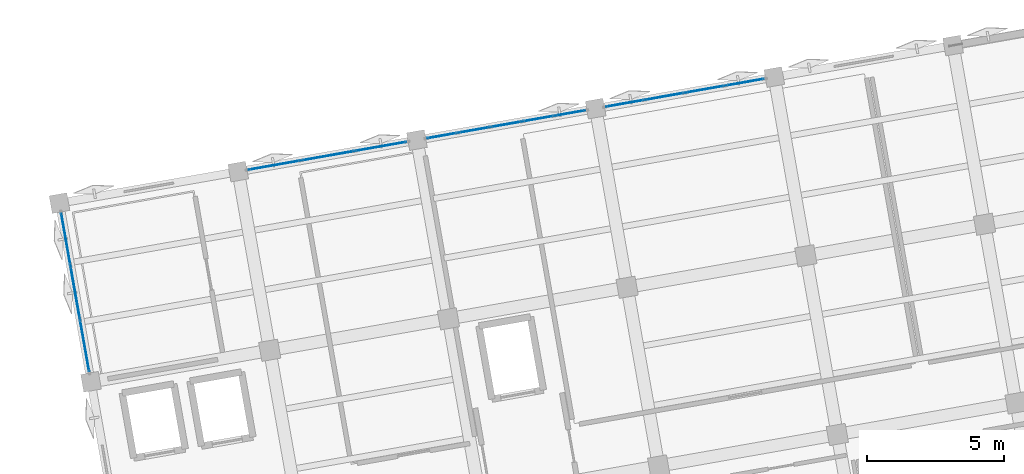
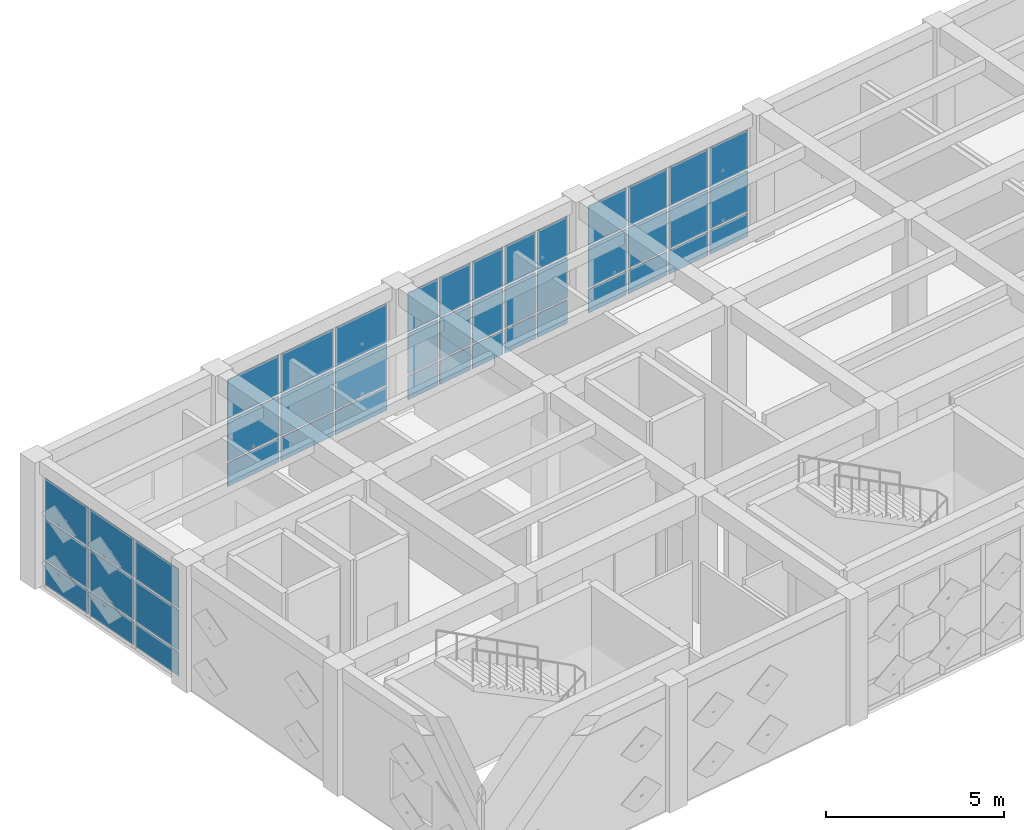
# One storey, part 21 of 39: 45 plates, 4 elements without a shape of their own.
"""IFC4 building model written with IfcOpenShell, lengths in metres."""

from ifc_helpers import new_model, si_unit, direction, frame, origin, origin_2d, place, context, subcontext, project, spatial, rectangle, extrude, material, layer, layer_set, type_object, element, aggregate, save


model = new_model("IFC4")

# Units and contexts
model_context = context("Model", 3, precision=1e-05, world=origin(), true_north=direction((0.0, 1.0)))
body_context = subcontext(model_context, "Body", "Model", "MODEL_VIEW")
ifc_project = project(units=[si_unit("LENGTHUNIT", "METRE"), si_unit("AREAUNIT", "SQUARE_METRE"), si_unit("VOLUMEUNIT", "CUBIC_METRE"), si_unit("PLANEANGLEUNIT", "RADIAN"), si_unit("MASSUNIT", "GRAM", prefix="KILO")], contexts=[model_context])

# Site, building, storey
site_placement = place(None, origin())
site = spatial("IfcSite", under=ifc_project, at=site_placement, CompositionType="ELEMENT")
building_placement = place(site_placement, origin())
building = spatial("IfcBuilding", under=site, at=building_placement, Name="Kharisveld Research Institute", CompositionType="ELEMENT")
storey_placement = place(building_placement, frame((0.0, 0.0, 18.60009765625)))
storey = spatial("IfcBuildingStorey", under=building, at=storey_placement, Name="L04", CompositionType="ELEMENT", Elevation=18.60009765625)

# Curtain wall, plates
ifc_material_1 = material(Name="Thermally Broken Aluminium Curtain Wall", Category="aluminium")
ifc_layer_1 = layer(ifc_material_1, 0.159912109375)
ifc_layer_set_1 = layer_set([ifc_layer_1], Name="CW_SYS_05")
curtain_wall_type_1 = type_object("IfcCurtainWallType", Name="CW_SYS_05", PredefinedType="NOTDEFINED", material=ifc_layer_set_1)
curtain_wall_1_placement = place(storey_placement, origin())
curtain_wall_1 = element("IfcCurtainWall", 1, at=curtain_wall_1_placement, inside=storey, type_object=curtain_wall_type_1, Name="CW:V1:L04:W2", PredefinedType="NOTDEFINED")
ifc_material_2 = material(Name="Low-E Double Glazing", Category="glass")
ifc_layer_2 = layer(ifc_material_2, 0.028076171875)
ifc_layer_set_2 = layer_set([ifc_layer_2], Name="CW_PNL_GLZ")
plate_type = type_object("IfcPlateType", Name="CW_PNL_GLZ", PredefinedType="CURTAIN_PANEL", material=ifc_layer_set_2)
plate_1_placement = place(storey_placement, frame((2.6767578125, 49.320068359375, 0.06494140625), z_axis=(0.0, 0.0, 1.0), x_axis=(-0.173648266375, 0.984807737371, 0.0)))
plate_1 = element("IfcPlate", 2, at=plate_1_placement, type_object=plate_type, Name="CW-05 panel 1.1", PredefinedType="CURTAIN_PANEL", context=body_context, shape_type="SweptSolid", body=[
    extrude(rectangle(XDim=1.881591796875, YDim=0.028076171875, at=origin_2d()), origin(), (0.0, 0.0, 1.0), 0.802490234375),
])
plate_2_placement = place(storey_placement, frame((2.6767578125, 49.320068359375, 0.9326171875), z_axis=(0.0, 0.0, 1.0), x_axis=(-0.173648266375, 0.984807737371, 0.0)))
plate_2 = element("IfcPlate", 3, at=plate_2_placement, type_object=plate_type, Name="CW-05 panel 1.2", PredefinedType="CURTAIN_PANEL", context=body_context, shape_type="SweptSolid", body=[
    extrude(rectangle(XDim=1.881591796875, YDim=0.028076171875, at=origin_2d()), origin(), (0.0, 0.0, 1.0), 1.385009765625),
])
plate_3_placement = place(storey_placement, frame((2.6767578125, 49.320068359375, 2.38232421875), z_axis=(0.0, 0.0, 1.0), x_axis=(-0.173648266375, 0.984807737371, 0.0)))
plate_3 = element("IfcPlate", 4, at=plate_3_placement, type_object=plate_type, Name="CW-05 panel 1.3", PredefinedType="CURTAIN_PANEL", context=body_context, shape_type="SweptSolid", body=[
    extrude(rectangle(XDim=1.881591796875, YDim=0.028076171875, at=origin_2d()), origin(), (0.0, 0.0, 1.0), 1.33251953125),
])
plate_4_placement = place(storey_placement, frame((2.334716796875, 51.25927734375, 0.06494140625), z_axis=(0.0, 0.0, 1.0), x_axis=(-0.173648266375, 0.984807737371, 0.0)))
plate_4 = element("IfcPlate", 5, at=plate_4_placement, type_object=plate_type, Name="CW-05 panel 2.1", PredefinedType="CURTAIN_PANEL", context=body_context, shape_type="SweptSolid", body=[
    extrude(rectangle(XDim=1.916748046875, YDim=0.028076171875, at=origin_2d()), origin(), (0.0, 0.0, 1.0), 0.802490234375),
])
plate_5_placement = place(storey_placement, frame((2.334716796875, 51.25927734375, 0.9326171875), z_axis=(0.0, 0.0, 1.0), x_axis=(-0.173648266375, 0.984807737371, 0.0)))
plate_5 = element("IfcPlate", 6, at=plate_5_placement, type_object=plate_type, Name="CW-05 panel 2.2", PredefinedType="CURTAIN_PANEL", context=body_context, shape_type="SweptSolid", body=[
    extrude(rectangle(XDim=1.916748046875, YDim=0.028076171875, at=origin_2d()), origin(), (0.0, 0.0, 1.0), 1.385009765625),
])
plate_6_placement = place(storey_placement, frame((2.334716796875, 51.25927734375, 2.38232421875), z_axis=(0.0, 0.0, 1.0), x_axis=(-0.173648266375, 0.984807737371, 0.0)))
plate_6 = element("IfcPlate", 7, at=plate_6_placement, type_object=plate_type, Name="CW-05 panel 2.3", PredefinedType="CURTAIN_PANEL", context=body_context, shape_type="SweptSolid", body=[
    extrude(rectangle(XDim=1.916748046875, YDim=0.028076171875, at=origin_2d()), origin(), (0.0, 0.0, 1.0), 1.33251953125),
])
plate_7_placement = place(storey_placement, frame((1.992919921875, 53.198486328125, 0.06494140625), z_axis=(0.0, 0.0, 1.0), x_axis=(-0.173648266375, 0.984807737371, 0.0)))
plate_7 = element("IfcPlate", 8, at=plate_7_placement, type_object=plate_type, Name="CW-05 panel 3.1", PredefinedType="CURTAIN_PANEL", context=body_context, shape_type="SweptSolid", body=[
    extrude(rectangle(XDim=1.881591796875, YDim=0.028076171875, at=origin_2d()), origin(), (0.0, 0.0, 1.0), 0.802490234375),
])
plate_8_placement = place(storey_placement, frame((1.992919921875, 53.198486328125, 0.9326171875), z_axis=(0.0, 0.0, 1.0), x_axis=(-0.173648266375, 0.984807737371, 0.0)))
plate_8 = element("IfcPlate", 9, at=plate_8_placement, type_object=plate_type, Name="CW-05 panel 3.2", PredefinedType="CURTAIN_PANEL", context=body_context, shape_type="SweptSolid", body=[
    extrude(rectangle(XDim=1.881591796875, YDim=0.028076171875, at=origin_2d()), origin(), (0.0, 0.0, 1.0), 1.385009765625),
])
plate_9_placement = place(storey_placement, frame((1.992919921875, 53.198486328125, 2.38232421875), z_axis=(0.0, 0.0, 1.0), x_axis=(-0.173648266375, 0.984807737371, 0.0)))
plate_9 = element("IfcPlate", 10, at=plate_9_placement, type_object=plate_type, Name="CW-05 panel 3.3", PredefinedType="CURTAIN_PANEL", context=body_context, shape_type="SweptSolid", body=[
    extrude(rectangle(XDim=1.881591796875, YDim=0.028076171875, at=origin_2d()), origin(), (0.0, 0.0, 1.0), 1.33251953125),
])
aggregate(curtain_wall_1, [plate_1, plate_2, plate_3, plate_4, plate_5, plate_6, plate_7, plate_8, plate_9])

ifc_material_3 = material(Name="Thermally Broken Aluminium Curtain Wall", Category="aluminium")
ifc_layer_3 = layer(ifc_material_3, 0.159912109375)
ifc_layer_set_3 = layer_set([ifc_layer_3], Name="CW_SYS_06")
curtain_wall_type_2 = type_object("IfcCurtainWallType", Name="CW_SYS_06", PredefinedType="NOTDEFINED", material=ifc_layer_set_3)
curtain_wall_2_placement = place(storey_placement, origin())
curtain_wall_2 = element("IfcCurtainWall", 11, at=curtain_wall_2_placement, inside=storey, type_object=curtain_wall_type_2, Name="CW:V1:L04:N1", PredefinedType="NOTDEFINED")
plate_10_placement = place(storey_placement, frame((9.572021484375, 55.886474609375, 0.06494140625), z_axis=(0.0, 0.0, 1.0), x_axis=(0.984807732312, 0.173648295062, 0.0)))
plate_10 = element("IfcPlate", 12, at=plate_10_placement, type_object=plate_type, Name="CW-06 panel 1.1", PredefinedType="CURTAIN_PANEL", context=body_context, shape_type="SweptSolid", body=[
    extrude(rectangle(XDim=1.881591796875, YDim=0.028076171875, at=origin_2d()), origin(), (0.0, 0.0, 1.0), 0.802490234375),
])
plate_11_placement = place(storey_placement, frame((9.572021484375, 55.886474609375, 0.9326171875), z_axis=(0.0, 0.0, 1.0), x_axis=(0.984807732312, 0.173648295062, 0.0)))
plate_11 = element("IfcPlate", 13, at=plate_11_placement, type_object=plate_type, Name="CW-06 panel 1.2", PredefinedType="CURTAIN_PANEL", context=body_context, shape_type="SweptSolid", body=[
    extrude(rectangle(XDim=1.881591796875, YDim=0.028076171875, at=origin_2d()), origin(), (0.0, 0.0, 1.0), 1.385009765625),
])
plate_12_placement = place(storey_placement, frame((9.572021484375, 55.886474609375, 2.38232421875), z_axis=(0.0, 0.0, 1.0), x_axis=(0.984807732312, 0.173648295062, 0.0)))
plate_12 = element("IfcPlate", 14, at=plate_12_placement, type_object=plate_type, Name="CW-06 panel 1.3", PredefinedType="CURTAIN_PANEL", context=body_context, shape_type="SweptSolid", body=[
    extrude(rectangle(XDim=1.881591796875, YDim=0.028076171875, at=origin_2d()), origin(), (0.0, 0.0, 1.0), 1.33251953125),
])
plate_13_placement = place(storey_placement, frame((11.511474609375, 56.228271484375, 0.06494140625), z_axis=(0.0, 0.0, 1.0), x_axis=(0.984807732312, 0.173648295062, 0.0)))
plate_13 = element("IfcPlate", 15, at=plate_13_placement, type_object=plate_type, Name="CW-06 panel 2.1", PredefinedType="CURTAIN_PANEL", context=body_context, shape_type="SweptSolid", body=[
    extrude(rectangle(XDim=1.916748046875, YDim=0.028076171875, at=origin_2d()), origin(), (0.0, 0.0, 1.0), 0.802490234375),
])
plate_14_placement = place(storey_placement, frame((11.511474609375, 56.228271484375, 0.9326171875), z_axis=(0.0, 0.0, 1.0), x_axis=(0.984807732312, 0.173648295062, 0.0)))
plate_14 = element("IfcPlate", 16, at=plate_14_placement, type_object=plate_type, Name="CW-06 panel 2.2", PredefinedType="CURTAIN_PANEL", context=body_context, shape_type="SweptSolid", body=[
    extrude(rectangle(XDim=1.916748046875, YDim=0.028076171875, at=origin_2d()), origin(), (0.0, 0.0, 1.0), 1.385009765625),
])
plate_15_placement = place(storey_placement, frame((11.511474609375, 56.228271484375, 2.38232421875), z_axis=(0.0, 0.0, 1.0), x_axis=(0.984807732312, 0.173648295062, 0.0)))
plate_15 = element("IfcPlate", 17, at=plate_15_placement, type_object=plate_type, Name="CW-06 panel 2.3", PredefinedType="CURTAIN_PANEL", context=body_context, shape_type="SweptSolid", body=[
    extrude(rectangle(XDim=1.916748046875, YDim=0.028076171875, at=origin_2d()), origin(), (0.0, 0.0, 1.0), 1.33251953125),
])
plate_16_placement = place(storey_placement, frame((13.45068359375, 56.5703125, 0.06494140625), z_axis=(0.0, 0.0, 1.0), x_axis=(0.984807732312, 0.173648295062, 0.0)))
plate_16 = element("IfcPlate", 18, at=plate_16_placement, type_object=plate_type, Name="CW-06 panel 3.1", PredefinedType="CURTAIN_PANEL", context=body_context, shape_type="SweptSolid", body=[
    extrude(rectangle(XDim=1.881591796875, YDim=0.028076171875, at=origin_2d()), origin(), (0.0, 0.0, 1.0), 0.802490234375),
])
plate_17_placement = place(storey_placement, frame((13.45068359375, 56.5703125, 0.9326171875), z_axis=(0.0, 0.0, 1.0), x_axis=(0.984807732312, 0.173648295062, 0.0)))
plate_17 = element("IfcPlate", 19, at=plate_17_placement, type_object=plate_type, Name="CW-06 panel 3.2", PredefinedType="CURTAIN_PANEL", context=body_context, shape_type="SweptSolid", body=[
    extrude(rectangle(XDim=1.881591796875, YDim=0.028076171875, at=origin_2d()), origin(), (0.0, 0.0, 1.0), 1.385009765625),
])
plate_18_placement = place(storey_placement, frame((13.45068359375, 56.5703125, 2.38232421875), z_axis=(0.0, 0.0, 1.0), x_axis=(0.984807732312, 0.173648295062, 0.0)))
plate_18 = element("IfcPlate", 20, at=plate_18_placement, type_object=plate_type, Name="CW-06 panel 3.3", PredefinedType="CURTAIN_PANEL", context=body_context, shape_type="SweptSolid", body=[
    extrude(rectangle(XDim=1.881591796875, YDim=0.028076171875, at=origin_2d()), origin(), (0.0, 0.0, 1.0), 1.33251953125),
])
aggregate(curtain_wall_2, [plate_10, plate_11, plate_12, plate_13, plate_14, plate_15, plate_16, plate_17, plate_18])

ifc_material_4 = material(Name="Thermally Broken Aluminium Curtain Wall", Category="aluminium")
ifc_layer_4 = layer(ifc_material_4, 0.159912109375)
ifc_layer_set_4 = layer_set([ifc_layer_4], Name="CW_SYS_01")
curtain_wall_type_3 = type_object("IfcCurtainWallType", Name="CW_SYS_01", PredefinedType="NOTDEFINED", material=ifc_layer_set_4)
curtain_wall_3_placement = place(storey_placement, origin())
curtain_wall_3 = element("IfcCurtainWall", 21, at=curtain_wall_3_placement, inside=storey, type_object=curtain_wall_type_3, Name="CW:V1:L04:N2", PredefinedType="NOTDEFINED")
plate_19_placement = place(storey_placement, frame((15.6806640625, 56.96337890625, 0.06494140625), z_axis=(0.0, 0.0, 1.0), x_axis=(0.984807737371, 0.173648266375, 0.0)))
plate_19 = element("IfcPlate", 22, at=plate_19_placement, type_object=plate_type, Name="CW-01 panel 1.1", PredefinedType="CURTAIN_PANEL", context=body_context, shape_type="SweptSolid", body=[
    extrude(rectangle(XDim=1.0869140625, YDim=0.028076171875, at=origin_2d()), origin(), (0.0, 0.0, 1.0), 0.802490234375),
])
plate_20_placement = place(storey_placement, frame((15.6806640625, 56.96337890625, 0.9326171875), z_axis=(0.0, 0.0, 1.0), x_axis=(0.984807737371, 0.173648266375, 0.0)))
plate_20 = element("IfcPlate", 23, at=plate_20_placement, type_object=plate_type, Name="CW-01 panel 1.2", PredefinedType="CURTAIN_PANEL", context=body_context, shape_type="SweptSolid", body=[
    extrude(rectangle(XDim=1.0869140625, YDim=0.028076171875, at=origin_2d()), origin(), (0.0, 0.0, 1.0), 1.385009765625),
])
plate_21_placement = place(storey_placement, frame((15.6806640625, 56.96337890625, 2.38232421875), z_axis=(0.0, 0.0, 1.0), x_axis=(0.984807737371, 0.173648266375, 0.0)))
plate_21 = element("IfcPlate", 24, at=plate_21_placement, type_object=plate_type, Name="CW-01 panel 1.3", PredefinedType="CURTAIN_PANEL", context=body_context, shape_type="SweptSolid", body=[
    extrude(rectangle(XDim=1.0869140625, YDim=0.028076171875, at=origin_2d()), origin(), (0.0, 0.0, 1.0), 1.33251953125),
])
plate_22_placement = place(storey_placement, frame((16.837158203125, 57.16748046875, 0.06494140625), z_axis=(0.0, 0.0, 1.0), x_axis=(0.984807737371, 0.173648266375, 0.0)))
plate_22 = element("IfcPlate", 25, at=plate_22_placement, type_object=plate_type, Name="CW-01 panel 2.1", PredefinedType="CURTAIN_PANEL", context=body_context, shape_type="SweptSolid", body=[
    extrude(rectangle(XDim=1.1220703125, YDim=0.028076171875, at=origin_2d()), origin(), (0.0, 0.0, 1.0), 0.802490234375),
])
plate_23_placement = place(storey_placement, frame((16.837158203125, 57.16748046875, 0.9326171875), z_axis=(0.0, 0.0, 1.0), x_axis=(0.984807737371, 0.173648266375, 0.0)))
plate_23 = element("IfcPlate", 26, at=plate_23_placement, type_object=plate_type, Name="CW-01 panel 2.2", PredefinedType="CURTAIN_PANEL", context=body_context, shape_type="SweptSolid", body=[
    extrude(rectangle(XDim=1.1220703125, YDim=0.028076171875, at=origin_2d()), origin(), (0.0, 0.0, 1.0), 1.385009765625),
])
plate_24_placement = place(storey_placement, frame((16.837158203125, 57.16748046875, 2.38232421875), z_axis=(0.0, 0.0, 1.0), x_axis=(0.984807737371, 0.173648266375, 0.0)))
plate_24 = element("IfcPlate", 27, at=plate_24_placement, type_object=plate_type, Name="CW-01 panel 2.3", PredefinedType="CURTAIN_PANEL", context=body_context, shape_type="SweptSolid", body=[
    extrude(rectangle(XDim=1.1220703125, YDim=0.028076171875, at=origin_2d()), origin(), (0.0, 0.0, 1.0), 1.33251953125),
])
plate_25_placement = place(storey_placement, frame((18.010986328125, 57.374267578125, 0.06494140625), z_axis=(0.0, 0.0, 1.0), x_axis=(0.984807737371, 0.173648266375, 0.0)))
plate_25 = element("IfcPlate", 28, at=plate_25_placement, type_object=plate_type, Name="CW-01 panel 3.1", PredefinedType="CURTAIN_PANEL", context=body_context, shape_type="SweptSolid", body=[
    extrude(rectangle(XDim=1.1220703125, YDim=0.028076171875, at=origin_2d()), origin(), (0.0, 0.0, 1.0), 0.802490234375),
])
plate_26_placement = place(storey_placement, frame((18.010986328125, 57.374267578125, 0.9326171875), z_axis=(0.0, 0.0, 1.0), x_axis=(0.984807737371, 0.173648266375, 0.0)))
plate_26 = element("IfcPlate", 29, at=plate_26_placement, type_object=plate_type, Name="CW-01 panel 3.2", PredefinedType="CURTAIN_PANEL", context=body_context, shape_type="SweptSolid", body=[
    extrude(rectangle(XDim=1.1220703125, YDim=0.028076171875, at=origin_2d()), origin(), (0.0, 0.0, 1.0), 1.385009765625),
])
plate_27_placement = place(storey_placement, frame((18.010986328125, 57.374267578125, 2.38232421875), z_axis=(0.0, 0.0, 1.0), x_axis=(0.984807737371, 0.173648266375, 0.0)))
plate_27 = element("IfcPlate", 30, at=plate_27_placement, type_object=plate_type, Name="CW-01 panel 3.3", PredefinedType="CURTAIN_PANEL", context=body_context, shape_type="SweptSolid", body=[
    extrude(rectangle(XDim=1.1220703125, YDim=0.028076171875, at=origin_2d()), origin(), (0.0, 0.0, 1.0), 1.33251953125),
])
plate_28_placement = place(storey_placement, frame((19.18505859375, 57.581298828125, 0.06494140625), z_axis=(0.0, 0.0, 1.0), x_axis=(0.984807737371, 0.173648266375, 0.0)))
plate_28 = element("IfcPlate", 31, at=plate_28_placement, type_object=plate_type, Name="CW-01 panel 4.1", PredefinedType="CURTAIN_PANEL", context=body_context, shape_type="SweptSolid", body=[
    extrude(rectangle(XDim=1.1220703125, YDim=0.028076171875, at=origin_2d()), origin(), (0.0, 0.0, 1.0), 0.802490234375),
])
plate_29_placement = place(storey_placement, frame((19.18505859375, 57.581298828125, 0.9326171875), z_axis=(0.0, 0.0, 1.0), x_axis=(0.984807737371, 0.173648266375, 0.0)))
plate_29 = element("IfcPlate", 32, at=plate_29_placement, type_object=plate_type, Name="CW-01 panel 4.2", PredefinedType="CURTAIN_PANEL", context=body_context, shape_type="SweptSolid", body=[
    extrude(rectangle(XDim=1.1220703125, YDim=0.028076171875, at=origin_2d()), origin(), (0.0, 0.0, 1.0), 1.385009765625),
])
plate_30_placement = place(storey_placement, frame((19.18505859375, 57.581298828125, 2.38232421875), z_axis=(0.0, 0.0, 1.0), x_axis=(0.984807737371, 0.173648266375, 0.0)))
plate_30 = element("IfcPlate", 33, at=plate_30_placement, type_object=plate_type, Name="CW-01 panel 4.3", PredefinedType="CURTAIN_PANEL", context=body_context, shape_type="SweptSolid", body=[
    extrude(rectangle(XDim=1.1220703125, YDim=0.028076171875, at=origin_2d()), origin(), (0.0, 0.0, 1.0), 1.33251953125),
])
plate_31_placement = place(storey_placement, frame((20.341552734375, 57.785400390625, 0.06494140625), z_axis=(0.0, 0.0, 1.0), x_axis=(0.984807737371, 0.173648266375, 0.0)))
plate_31 = element("IfcPlate", 34, at=plate_31_placement, type_object=plate_type, Name="CW-01 panel 5.1", PredefinedType="CURTAIN_PANEL", context=body_context, shape_type="SweptSolid", body=[
    extrude(rectangle(XDim=1.0869140625, YDim=0.028076171875, at=origin_2d()), origin(), (0.0, 0.0, 1.0), 0.802490234375),
])
plate_32_placement = place(storey_placement, frame((20.341552734375, 57.785400390625, 0.9326171875), z_axis=(0.0, 0.0, 1.0), x_axis=(0.984807737371, 0.173648266375, 0.0)))
plate_32 = element("IfcPlate", 35, at=plate_32_placement, type_object=plate_type, Name="CW-01 panel 5.2", PredefinedType="CURTAIN_PANEL", context=body_context, shape_type="SweptSolid", body=[
    extrude(rectangle(XDim=1.0869140625, YDim=0.028076171875, at=origin_2d()), origin(), (0.0, 0.0, 1.0), 1.385009765625),
])
plate_33_placement = place(storey_placement, frame((20.341552734375, 57.785400390625, 2.38232421875), z_axis=(0.0, 0.0, 1.0), x_axis=(0.984807737371, 0.173648266375, 0.0)))
plate_33 = element("IfcPlate", 36, at=plate_33_placement, type_object=plate_type, Name="CW-01 panel 5.3", PredefinedType="CURTAIN_PANEL", context=body_context, shape_type="SweptSolid", body=[
    extrude(rectangle(XDim=1.0869140625, YDim=0.028076171875, at=origin_2d()), origin(), (0.0, 0.0, 1.0), 1.33251953125),
])
aggregate(curtain_wall_3, [plate_19, plate_20, plate_21, plate_22, plate_23, plate_24, plate_25, plate_26, plate_27, plate_28, plate_29, plate_30, plate_31, plate_32, plate_33])

ifc_material_5 = material(Name="Thermally Broken Aluminium Curtain Wall", Category="aluminium")
ifc_layer_5 = layer(ifc_material_5, 0.159912109375)
ifc_layer_set_5 = layer_set([ifc_layer_5], Name="CW_SYS_02")
curtain_wall_type_4 = type_object("IfcCurtainWallType", Name="CW_SYS_02", PredefinedType="NOTDEFINED", material=ifc_layer_set_5)
curtain_wall_4_placement = place(storey_placement, origin())
curtain_wall_4 = element("IfcCurtainWall", 37, at=curtain_wall_4_placement, inside=storey, type_object=curtain_wall_type_4, Name="CW:V1:L04:N3", PredefinedType="NOTDEFINED")
plate_34_placement = place(storey_placement, frame((22.326904296875, 58.135498046875, 0.06494140625), z_axis=(0.0, 0.0, 1.0), x_axis=(0.984807732312, 0.173648295062, 0.0)))
plate_34 = element("IfcPlate", 38, at=plate_34_placement, type_object=plate_type, Name="CW-02 panel 1.1", PredefinedType="CURTAIN_PANEL", context=body_context, shape_type="SweptSolid", body=[
    extrude(rectangle(XDim=1.385009765625, YDim=0.028076171875, at=origin_2d()), origin(), (0.0, 0.0, 1.0), 0.802490234375),
])
plate_35_placement = place(storey_placement, frame((22.326904296875, 58.135498046875, 0.9326171875), z_axis=(0.0, 0.0, 1.0), x_axis=(0.984807732312, 0.173648295062, 0.0)))
plate_35 = element("IfcPlate", 39, at=plate_35_placement, type_object=plate_type, Name="CW-02 panel 1.2", PredefinedType="CURTAIN_PANEL", context=body_context, shape_type="SweptSolid", body=[
    extrude(rectangle(XDim=1.385009765625, YDim=0.028076171875, at=origin_2d()), origin(), (0.0, 0.0, 1.0), 1.385009765625),
])
plate_36_placement = place(storey_placement, frame((22.326904296875, 58.135498046875, 2.38232421875), z_axis=(0.0, 0.0, 1.0), x_axis=(0.984807732312, 0.173648295062, 0.0)))
plate_36 = element("IfcPlate", 40, at=plate_36_placement, type_object=plate_type, Name="CW-02 panel 1.3", PredefinedType="CURTAIN_PANEL", context=body_context, shape_type="SweptSolid", body=[
    extrude(rectangle(XDim=1.385009765625, YDim=0.028076171875, at=origin_2d()), origin(), (0.0, 0.0, 1.0), 1.33251953125),
])
plate_37_placement = place(storey_placement, frame((23.777099609375, 58.39111328125, 0.06494140625), z_axis=(0.0, 0.0, 1.0), x_axis=(0.984807732312, 0.173648295062, 0.0)))
plate_37 = element("IfcPlate", 41, at=plate_37_placement, type_object=plate_type, Name="CW-02 panel 2.1", PredefinedType="CURTAIN_PANEL", context=body_context, shape_type="SweptSolid", body=[
    extrude(rectangle(XDim=1.419921875, YDim=0.028076171875, at=origin_2d()), origin(), (0.0, 0.0, 1.0), 0.802490234375),
])
plate_38_placement = place(storey_placement, frame((23.777099609375, 58.39111328125, 0.9326171875), z_axis=(0.0, 0.0, 1.0), x_axis=(0.984807732312, 0.173648295062, 0.0)))
plate_38 = element("IfcPlate", 42, at=plate_38_placement, type_object=plate_type, Name="CW-02 panel 2.2", PredefinedType="CURTAIN_PANEL", context=body_context, shape_type="SweptSolid", body=[
    extrude(rectangle(XDim=1.419921875, YDim=0.028076171875, at=origin_2d()), origin(), (0.0, 0.0, 1.0), 1.385009765625),
])
plate_39_placement = place(storey_placement, frame((23.777099609375, 58.39111328125, 2.38232421875), z_axis=(0.0, 0.0, 1.0), x_axis=(0.984807732312, 0.173648295062, 0.0)))
plate_39 = element("IfcPlate", 43, at=plate_39_placement, type_object=plate_type, Name="CW-02 panel 2.3", PredefinedType="CURTAIN_PANEL", context=body_context, shape_type="SweptSolid", body=[
    extrude(rectangle(XDim=1.419921875, YDim=0.028076171875, at=origin_2d()), origin(), (0.0, 0.0, 1.0), 1.33251953125),
])
plate_40_placement = place(storey_placement, frame((25.24462890625, 58.64990234375, 0.06494140625), z_axis=(0.0, 0.0, 1.0), x_axis=(0.984807732312, 0.173648295062, 0.0)))
plate_40 = element("IfcPlate", 44, at=plate_40_placement, type_object=plate_type, Name="CW-02 panel 3.1", PredefinedType="CURTAIN_PANEL", context=body_context, shape_type="SweptSolid", body=[
    extrude(rectangle(XDim=1.419921875, YDim=0.028076171875, at=origin_2d()), origin(), (0.0, 0.0, 1.0), 0.802490234375),
])
plate_41_placement = place(storey_placement, frame((25.24462890625, 58.64990234375, 0.9326171875), z_axis=(0.0, 0.0, 1.0), x_axis=(0.984807732312, 0.173648295062, 0.0)))
plate_41 = element("IfcPlate", 45, at=plate_41_placement, type_object=plate_type, Name="CW-02 panel 3.2", PredefinedType="CURTAIN_PANEL", context=body_context, shape_type="SweptSolid", body=[
    extrude(rectangle(XDim=1.419921875, YDim=0.028076171875, at=origin_2d()), origin(), (0.0, 0.0, 1.0), 1.385009765625),
])
plate_42_placement = place(storey_placement, frame((25.24462890625, 58.64990234375, 2.38232421875), z_axis=(0.0, 0.0, 1.0), x_axis=(0.984807732312, 0.173648295062, 0.0)))
plate_42 = element("IfcPlate", 46, at=plate_42_placement, type_object=plate_type, Name="CW-02 panel 3.3", PredefinedType="CURTAIN_PANEL", context=body_context, shape_type="SweptSolid", body=[
    extrude(rectangle(XDim=1.419921875, YDim=0.028076171875, at=origin_2d()), origin(), (0.0, 0.0, 1.0), 1.33251953125),
])
plate_43_placement = place(storey_placement, frame((26.694580078125, 58.905517578125, 0.06494140625), z_axis=(0.0, 0.0, 1.0), x_axis=(0.984807732312, 0.173648295062, 0.0)))
plate_43 = element("IfcPlate", 47, at=plate_43_placement, type_object=plate_type, Name="CW-02 panel 4.1", PredefinedType="CURTAIN_PANEL", context=body_context, shape_type="SweptSolid", body=[
    extrude(rectangle(XDim=1.385009765625, YDim=0.028076171875, at=origin_2d()), origin(), (0.0, 0.0, 1.0), 0.802490234375),
])
plate_44_placement = place(storey_placement, frame((26.694580078125, 58.905517578125, 0.9326171875), z_axis=(0.0, 0.0, 1.0), x_axis=(0.984807732312, 0.173648295062, 0.0)))
plate_44 = element("IfcPlate", 48, at=plate_44_placement, type_object=plate_type, Name="CW-02 panel 4.2", PredefinedType="CURTAIN_PANEL", context=body_context, shape_type="SweptSolid", body=[
    extrude(rectangle(XDim=1.385009765625, YDim=0.028076171875, at=origin_2d()), origin(), (0.0, 0.0, 1.0), 1.385009765625),
])
plate_45_placement = place(storey_placement, frame((26.694580078125, 58.905517578125, 2.38232421875), z_axis=(0.0, 0.0, 1.0), x_axis=(0.984807732312, 0.173648295062, 0.0)))
plate_45 = element("IfcPlate", 49, at=plate_45_placement, type_object=plate_type, Name="CW-02 panel 4.3", PredefinedType="CURTAIN_PANEL", context=body_context, shape_type="SweptSolid", body=[
    extrude(rectangle(XDim=1.385009765625, YDim=0.028076171875, at=origin_2d()), origin(), (0.0, 0.0, 1.0), 1.33251953125),
])
aggregate(curtain_wall_4, [plate_34, plate_35, plate_36, plate_37, plate_38, plate_39, plate_40, plate_41, plate_42, plate_43, plate_44, plate_45])

save(model, "model.ifc")
